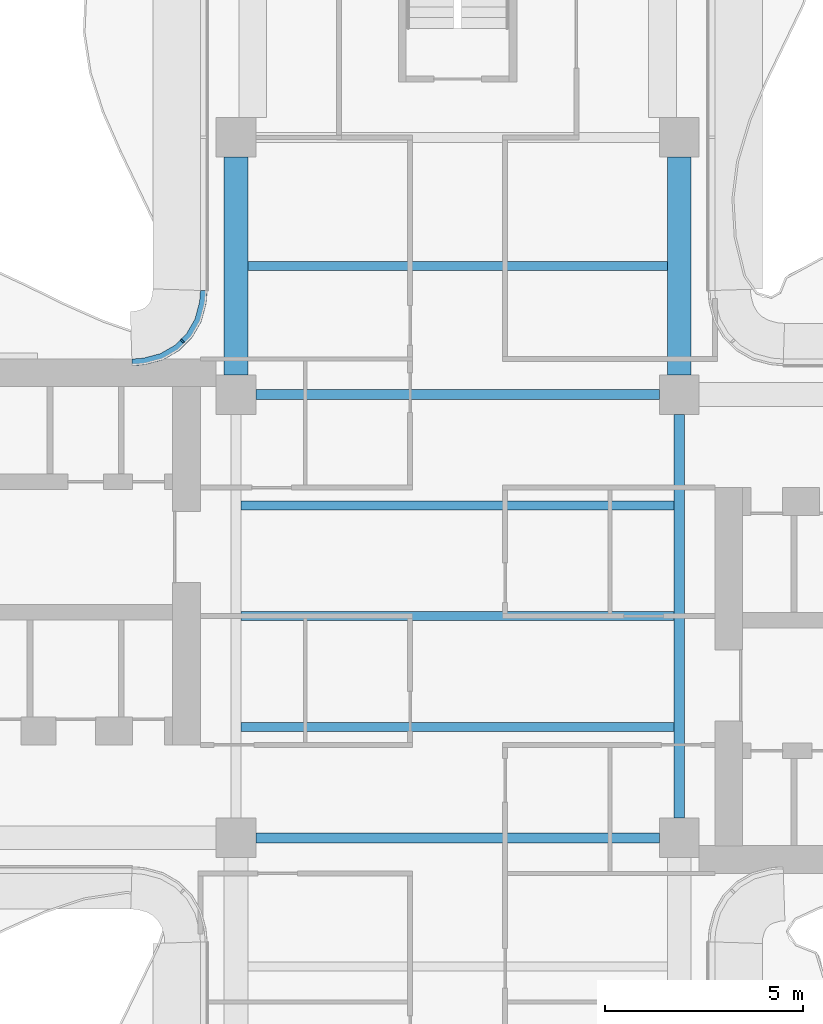
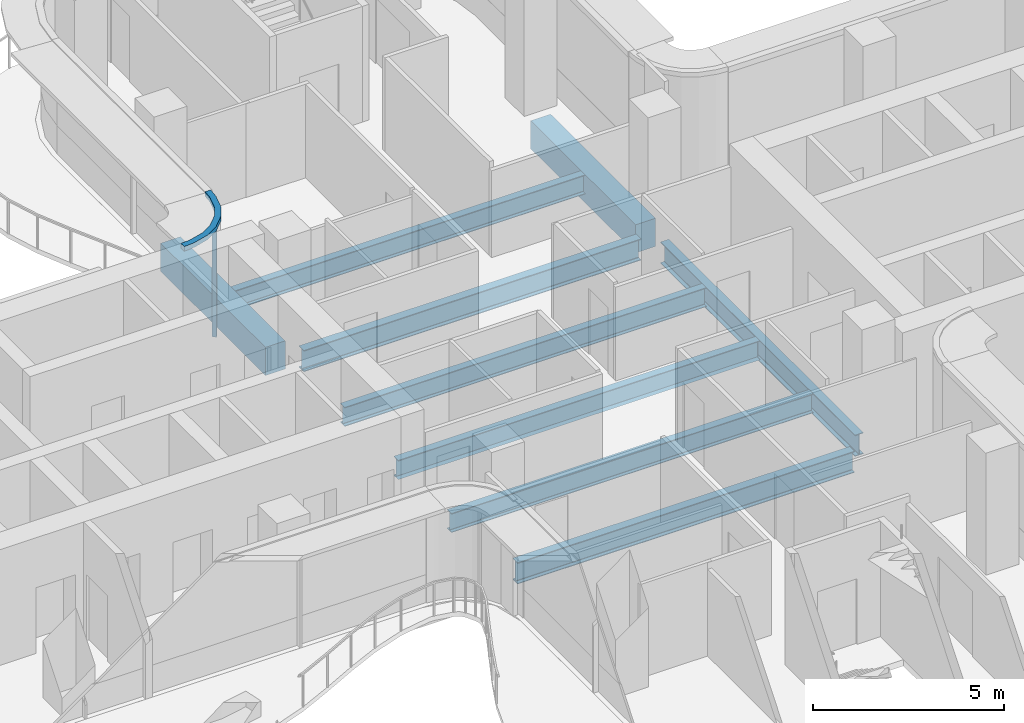
# One storey, part 4 of 16: 9 beams, 2 members, 1 element without a shape of its own.
"""IFC4 building model written with IfcOpenShell, lengths in metres."""

from ifc_helpers import new_model, si_unit, direction, frame, origin, origin_2d, place, context, subcontext, project, spatial, polyline, rectangle, i_section, outline, extrude, source, transform, mapped, material, layer, layer_set, material_profile, profile_set, type_object, element, aggregate, save


model = new_model("IFC4")

# Units and contexts
model_context = context("Model", 3, precision=1e-05, world=origin(), true_north=direction((0.0, 1.0)))
body_context = subcontext(model_context, "Body", "Model", "MODEL_VIEW")
ifc_project = project(units=[si_unit("LENGTHUNIT", "METRE"), si_unit("AREAUNIT", "SQUARE_METRE"), si_unit("VOLUMEUNIT", "CUBIC_METRE"), si_unit("PLANEANGLEUNIT", "RADIAN"), si_unit("MASSUNIT", "GRAM", prefix="KILO")], contexts=[model_context])

# Site, building, storey
site_placement = place(None, origin())
site = spatial("IfcSite", under=ifc_project, at=site_placement, CompositionType="ELEMENT")
building_placement = place(site_placement, origin())
building = spatial("IfcBuilding", under=site, at=building_placement, Name="Trellis Farm Tower", CompositionType="ELEMENT")
storey_placement = place(building_placement, frame((0.0, 0.0, 310.60009765625)))
storey = spatial("IfcBuildingStorey", under=building, at=storey_placement, Name="L70", CompositionType="ELEMENT", Elevation=310.60009765625)

# Beams
ifc_material_1 = material(Name="Steel S355", Category="steel")
ifc_material_profile_1 = material_profile(ifc_material_1, i_section(OverallWidth=0.22900390625, OverallDepth=0.6123046875, WebThickness=0.011962890625, FlangeThickness=0.01953125, FilletRadius=0.0126953125, at=origin_2d()), Name="UB 610x229x125")
ifc_profile_set_1 = profile_set([ifc_material_profile_1], Name="Steel S355")
beam_type_1 = type_object("IfcBeamType", Name="UB 610x229x125 joist", PredefinedType="JOIST", material=ifc_profile_set_1)
shared_shape_1 = source(origin(), body_context, "Body", "SweptSolid", [
    extrude(i_section(OverallWidth=0.22900390625, OverallDepth=0.6123046875, WebThickness=0.011962890625, FlangeThickness=0.01953125, FilletRadius=0.0126953125, at=origin_2d()), origin(), (0.0, 0.0, 1.0), 10.9462890625),
])
for number, where, z_axis, x_axis, name in (
    (1, (-5.47314453125, -2.800048828125, -0.506103515625), (1.0, 0.0, 0.0), (0.0, 1.0, 0.0), "Floor beam"),
    (2, (-5.47314453125, 0.0, -0.506103515625), (1.0, 0.0, 0.0), (0.0, 1.0, 0.0), "Floor beam"),
    (3, (-5.47314453125, 2.800048828125, -0.506103515625), (1.0, 0.0, 0.0), (0.0, 1.0, 0.0), "Floor beam"),
):
    element("IfcBeam", number, at=place(storey_placement, frame(where, z_axis=z_axis, x_axis=x_axis)), inside=storey, type_object=beam_type_1, Name=name, PredefinedType="JOIST", context=body_context, shape_type="MappedRepresentation", body=[
        mapped(shared_shape_1, transform((0.0, 0.0, 0.0))),
    ])
shared_shape_2 = source(origin(), body_context, "Body", "SweptSolid", [
    extrude(i_section(OverallWidth=0.22900390625, OverallDepth=0.6123046875, WebThickness=0.011962890625, FlangeThickness=0.01953125, FilletRadius=0.0126953125, at=origin_2d()), origin(), (0.0, 0.0, 1.0), 10.60009765625),
])
beam_placement = place(storey_placement, frame((-5.300048828125, 8.85009765625, -0.506103515625), z_axis=(1.0, 0.0, 0.0), x_axis=(0.0, 1.0, 0.0)))
element("IfcBeam", 4, at=beam_placement, inside=storey, type_object=beam_type_1, Name="Floor beam", PredefinedType="JOIST", context=body_context, shape_type="MappedRepresentation", body=[
    mapped(shared_shape_2, transform((0.0, 0.0, 0.0))),
])
ifc_material_profile_2 = material_profile(ifc_material_1, i_section(OverallWidth=0.253662109375, OverallDepth=0.68359375, WebThickness=0.012451171875, FlangeThickness=0.021728515625, FilletRadius=0.01513671875, at=origin_2d()), Name="UB 686x254x140")
ifc_profile_set_2 = profile_set([ifc_material_profile_2], Name="Steel S355")
beam_type_2 = type_object("IfcBeamType", Name="UB 686x254x140", PredefinedType="BEAM", material=ifc_profile_set_2)
shared_shape_3 = source(origin(), body_context, "Body", "SweptSolid", [
    extrude(i_section(OverallWidth=0.253662109375, OverallDepth=0.68359375, WebThickness=0.012451171875, FlangeThickness=0.021728515625, FilletRadius=0.01513671875, at=origin_2d()), origin(), (0.0, 0.0, 1.0), 10.2001953125),
])
for number, where, z_axis, x_axis, name in (
    (5, (-5.10009765625, -5.60009765625, -0.541748046875), (1.0, 0.0, 0.0), (0.0, 1.0, 0.0), "Girder"),
    (6, (-5.10009765625, 5.60009765625, -0.541748046875), (1.0, 0.0, 0.0), (0.0, 1.0, 0.0), "Girder"),
    (7, (5.60009765625, -5.10009765625, -0.541748046875), (0.0, 1.0, 0.0), (-1.0, 0.0, 0.0), "Girder"),
):
    element("IfcBeam", number, at=place(storey_placement, frame(where, z_axis=z_axis, x_axis=x_axis)), inside=storey, type_object=beam_type_2, Name=name, PredefinedType="BEAM", context=body_context, shape_type="MappedRepresentation", body=[
        mapped(shared_shape_3, transform((0.0, 0.0, 0.0))),
    ])
ifc_material_2 = material(Name="Concrete C60/75", Category="concrete")
ifc_material_profile_3 = material_profile(ifc_material_2, rectangle(XDim=0.60009765625, YDim=0.89990234375, at=origin_2d()), Name="RC spandrel beam 600x900 C60/75")
ifc_profile_set_3 = profile_set([ifc_material_profile_3], Name="Concrete C60/75")
beam_type_3 = type_object("IfcBeamType", Name="RC spandrel beam 600x900 C60/75", PredefinedType="SPANDREL", material=ifc_profile_set_3)
shared_shape_4 = source(origin(), body_context, "Body", "SweptSolid", [
    extrude(rectangle(XDim=0.60009765625, YDim=0.89990234375, at=origin_2d()), origin(), (0.0, 0.0, 1.0), 5.5),
])
for number, where, z_axis, x_axis, name in (
    (8, (-5.60009765625, 6.10009765625, -0.650146484375), (0.0, 1.0, 0.0), (-1.0, 0.0, 0.0), "Girder"),
    (9, (5.60009765625, 6.10009765625, -0.650146484375), (0.0, 1.0, 0.0), (-1.0, 0.0, 0.0), "Girder"),
):
    element("IfcBeam", number, at=place(storey_placement, frame(where, z_axis=z_axis, x_axis=x_axis)), inside=storey, type_object=beam_type_3, Name=name, PredefinedType="SPANDREL", context=body_context, shape_type="MappedRepresentation", body=[
        mapped(shared_shape_4, transform((0.0, 0.0, 0.0))),
    ])

# Curtain wall, members
ifc_material_3 = material(Name="Aluminium and glass curtain wall", Category="aluminium")
ifc_layer_1 = layer(ifc_material_3, 0.166015625)
ifc_layer_set_1 = layer_set([ifc_layer_1], Name="WINTER GARDEN CURTAIN WALL CW3")
curtain_wall_type = type_object("IfcCurtainWallType", Name="WINTER GARDEN CURTAIN WALL CW3", PredefinedType="NOTDEFINED", material=ifc_layer_set_1)
curtain_wall_placement = place(storey_placement, origin())
curtain_wall = element("IfcCurtainWall", 10, at=curtain_wall_placement, inside=storey, type_object=curtain_wall_type, Name="CW3 004", PredefinedType="NOTDEFINED")
ifc_material_4 = material(Name="Aluminium extrusion 6063-T6", Category="aluminium")
ifc_material_profile_4 = material_profile(ifc_material_4, rectangle(XDim=0.050048828125, YDim=0.1201171875, at=origin_2d()), Name="MULLION 50x120")
ifc_profile_set_4 = profile_set([ifc_material_profile_4], Name="Aluminium extrusion 6063-T6")
member_type_1 = type_object("IfcMemberType", Name="CW3 MULLION 50x120", PredefinedType="MULLION", material=ifc_profile_set_4)
shared_shape_5 = source(origin(), body_context, "Body", "SweptSolid", [
    extrude(rectangle(XDim=0.050048828125, YDim=0.1201171875, at=origin_2d()), origin(), (0.0, 0.0, 1.0), 3.5498046875),
])
member_1_placement = place(storey_placement, frame((-6.953125, 6.953125, 0.0), z_axis=(0.0, 0.0, 1.0), x_axis=(-0.707106781187, -0.707106781187, 0.0)))
member_1 = element("IfcMember", 11, at=member_1_placement, type_object=member_type_1, Name="MU3 004-01", PredefinedType="MULLION", context=body_context, shape_type="MappedRepresentation", body=[
    mapped(shared_shape_5, transform((0.0, 0.0, 0.0))),
])
ifc_layer_2 = layer(ifc_material_4, 0.169921875)
ifc_layer_set_2 = layer_set([ifc_layer_2], Name="Aluminium extrusion 6063-T6")
member_type_2 = type_object("IfcMemberType", Name="CW3 TRANSOM 170x150", PredefinedType="USERDEFINED", material=ifc_layer_set_2)
shared_shape_6 = source(origin(), body_context, "Body", "SweptSolid", [
    extrude(outline(polyline([(-6.5, 8.2314453125), (-6.513916015625, 8.01953125), (-6.527587890625, 7.91552734375), (-6.63671875, 7.508544921875), (-6.846923828125, 7.144287109375), (-7.144287109375, 6.846923828125), (-7.508544921875, 6.63671875), (-7.91552734375, 6.527587890625), (-8.01953125, 6.513916015625), (-8.2314453125, 6.5), (-8.225830078125, 6.330078125), (-8.0029296875, 6.3447265625), (-7.88232421875, 6.360595703125), (-7.44287109375, 6.478271484375), (-7.0400390625, 6.7109375), (-6.7109375, 7.0400390625), (-6.478271484375, 7.44287109375), (-6.360595703125, 7.88232421875), (-6.3447265625, 8.0029296875), (-6.330078125, 8.225830078125), (-6.5, 8.2314453125)])), origin(), (0.0, 0.0, 1.0), 0.150146484375),
])
member_2_placement = place(storey_placement, frame((0.0, 0.0, 3.5498046875)))
member_2 = element("IfcMember", 12, at=member_2_placement, type_object=member_type_2, Name="TR3 004", ObjectType="TRANSOM", PredefinedType="USERDEFINED", context=body_context, shape_type="MappedRepresentation", body=[
    mapped(shared_shape_6, transform((0.0, 0.0, 0.0))),
])
aggregate(curtain_wall, [member_1, member_2])

save(model, "model.ifc")
